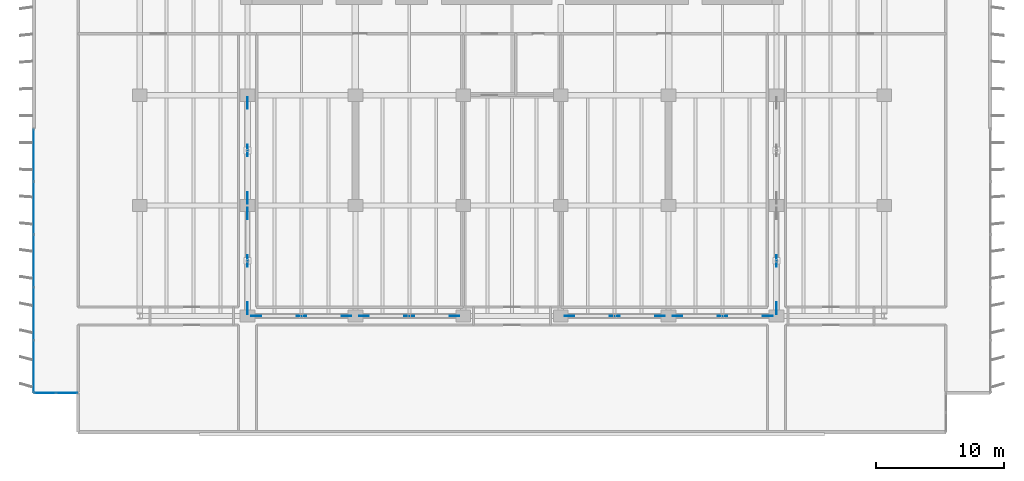
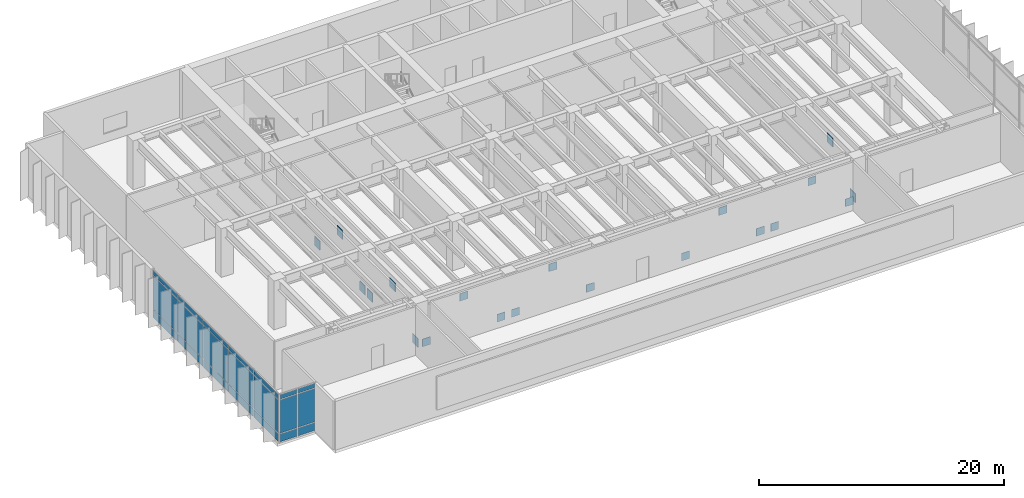
# One storey, part 11 of 21: 41 plates, 2 elements without a shape of their own.
"""IFC4 building model written with IfcOpenShell, lengths in metres."""

from ifc_helpers import new_model, si_unit, direction, frame, origin, origin_2d, place, context, subcontext, project, spatial, rectangle, extrude, material, layer, layer_set, type_object, element, aggregate, save


model = new_model("IFC4")

# Units and contexts
model_context = context("Model", 3, precision=1e-05, world=origin(), true_north=direction((0.0, 1.0)))
body_context = subcontext(model_context, "Body", "Model", "MODEL_VIEW")
ifc_project = project(units=[si_unit("LENGTHUNIT", "METRE"), si_unit("AREAUNIT", "SQUARE_METRE"), si_unit("VOLUMEUNIT", "CUBIC_METRE"), si_unit("PLANEANGLEUNIT", "RADIAN"), si_unit("MASSUNIT", "GRAM", prefix="KILO")], contexts=[model_context])

# Site, building, storey
site_placement = place(None, origin())
site = spatial("IfcSite", under=ifc_project, at=site_placement, CompositionType="ELEMENT")
building_placement = place(site_placement, origin())
building = spatial("IfcBuilding", under=site, at=building_placement, Name="Caelmar Bay Residences", CompositionType="ELEMENT")
storey_placement = place(building_placement, frame((0.0, 0.0, 79.5)))
storey = spatial("IfcBuildingStorey", under=building, at=storey_placement, Name="L21", CompositionType="ELEMENT", Elevation=79.5)

# Curtain wall, plates
ifc_material_1 = material(Name="Anodised bronze aluminium 6063-T6 and laminated glass", Category="aluminium")
ifc_layer_1 = layer(ifc_material_1, 0.179931640625)
ifc_layer_set_1 = layer_set([ifc_layer_1], Name="Anodised bronze aluminium 6063-T6 and laminated glass")
curtain_wall_type_1 = type_object("IfcCurtainWallType", Name="CW6-NTC", PredefinedType="NOTDEFINED", material=ifc_layer_set_1)
curtain_wall_1_placement = place(storey_placement, origin())
curtain_wall_1 = element("IfcCurtainWall", 1, at=curtain_wall_1_placement, inside=storey, type_object=curtain_wall_type_1, Name="CW6 curtain wall L21", PredefinedType="NOTDEFINED")
ifc_material_2 = material(Name="Bronze-tinted laminated low-E hurricane glass 28 mm", Category="glass")
ifc_layer_2 = layer(ifc_material_2, 0.028076171875)
ifc_layer_set_2 = layer_set([ifc_layer_2], Name="Bronze-tinted laminated low-E hurricane glass 28 mm")
plate_type_1 = type_object("IfcPlateType", Name="CWP-GLZ28", PredefinedType="CURTAIN_PANEL", material=ifc_layer_set_2)
plate_1_placement = place(storey_placement, frame((2.532470703125, 6.199951171875, 0.080078125), z_axis=(0.0, 0.0, 1.0), x_axis=(1.0, 0.0, 0.0)))
plate_1 = element("IfcPlate", 2, at=plate_1_placement, type_object=plate_type_1, Name="CW6 panel 1.1", PredefinedType="CURTAIN_PANEL", context=body_context, shape_type="SweptSolid", body=[
    extrude(rectangle(XDim=1.60498046875, YDim=0.028076171875, at=origin_2d()), origin(), (0.0, 0.0, 1.0), 0.780029296875),
])
plate_2_placement = place(storey_placement, frame((2.532470703125, 6.199951171875, 0.93994140625), z_axis=(0.0, 0.0, 1.0), x_axis=(1.0, 0.0, 0.0)))
plate_2 = element("IfcPlate", 3, at=plate_2_placement, type_object=plate_type_1, Name="CW6 panel 1.2", PredefinedType="CURTAIN_PANEL", context=body_context, shape_type="SweptSolid", body=[
    extrude(rectangle(XDim=1.60498046875, YDim=0.028076171875, at=origin_2d()), origin(), (0.0, 0.0, 1.0), 3.320068359375),
])
plate_3_placement = place(storey_placement, frame((2.532470703125, 6.199951171875, 4.33984375), z_axis=(0.0, 0.0, 1.0), x_axis=(1.0, 0.0, 0.0)))
plate_3 = element("IfcPlate", 4, at=plate_3_placement, type_object=plate_type_1, Name="CW6 panel 1.3", PredefinedType="CURTAIN_PANEL", context=body_context, shape_type="SweptSolid", body=[
    extrude(rectangle(XDim=1.60498046875, YDim=0.028076171875, at=origin_2d()), origin(), (0.0, 0.0, 1.0), 0.429931640625),
])
plate_4_placement = place(storey_placement, frame((4.217529296875, 6.199951171875, 0.080078125), z_axis=(0.0, 0.0, 1.0), x_axis=(1.0, 0.0, 0.0)))
plate_4 = element("IfcPlate", 5, at=plate_4_placement, type_object=plate_type_1, Name="CW6 panel 2.1", PredefinedType="CURTAIN_PANEL", context=body_context, shape_type="SweptSolid", body=[
    extrude(rectangle(XDim=1.60498046875, YDim=0.028076171875, at=origin_2d()), origin(), (0.0, 0.0, 1.0), 0.780029296875),
])
plate_5_placement = place(storey_placement, frame((4.217529296875, 6.199951171875, 0.93994140625), z_axis=(0.0, 0.0, 1.0), x_axis=(1.0, 0.0, 0.0)))
plate_5 = element("IfcPlate", 6, at=plate_5_placement, type_object=plate_type_1, Name="CW6 panel 2.2", PredefinedType="CURTAIN_PANEL", context=body_context, shape_type="SweptSolid", body=[
    extrude(rectangle(XDim=1.60498046875, YDim=0.028076171875, at=origin_2d()), origin(), (0.0, 0.0, 1.0), 3.320068359375),
])
plate_6_placement = place(storey_placement, frame((4.217529296875, 6.199951171875, 4.33984375), z_axis=(0.0, 0.0, 1.0), x_axis=(1.0, 0.0, 0.0)))
plate_6 = element("IfcPlate", 7, at=plate_6_placement, type_object=plate_type_1, Name="CW6 panel 2.3", PredefinedType="CURTAIN_PANEL", context=body_context, shape_type="SweptSolid", body=[
    extrude(rectangle(XDim=1.60498046875, YDim=0.028076171875, at=origin_2d()), origin(), (0.0, 0.0, 1.0), 0.429931640625),
])
aggregate(curtain_wall_1, [plate_1, plate_2, plate_3, plate_4, plate_5, plate_6])

ifc_layer_3 = layer(ifc_material_1, 0.179931640625)
ifc_layer_set_3 = layer_set([ifc_layer_3], Name="Anodised bronze aluminium 6063-T6 and laminated glass")
curtain_wall_type_2 = type_object("IfcCurtainWallType", Name="CW2-Z1", PredefinedType="NOTDEFINED", material=ifc_layer_set_3)
curtain_wall_2_placement = place(storey_placement, origin())
curtain_wall_2 = element("IfcCurtainWall", 8, at=curtain_wall_2_placement, inside=storey, type_object=curtain_wall_type_2, Name="CW2 curtain wall L21", PredefinedType="NOTDEFINED")
plate_7_placement = place(storey_placement, frame((1.64990234375, 8.280029296875, 0.080078125), z_axis=(0.0, 0.0, 1.0), x_axis=(0.0, 1.0, 0.0)))
plate_7 = element("IfcPlate", 9, at=plate_7_placement, type_object=plate_type_1, Name="CW2 panel 1.1", PredefinedType="CURTAIN_PANEL", context=body_context, shape_type="SweptSolid", body=[
    extrude(rectangle(XDim=4.0, YDim=0.028076171875, at=origin_2d()), origin(), (0.0, 0.0, 1.0), 0.780029296875),
])
plate_8_placement = place(storey_placement, frame((1.64990234375, 8.280029296875, 0.93994140625), z_axis=(0.0, 0.0, 1.0), x_axis=(0.0, 1.0, 0.0)))
plate_8 = element("IfcPlate", 10, at=plate_8_placement, type_object=plate_type_1, Name="CW2 panel 1.2", PredefinedType="CURTAIN_PANEL", context=body_context, shape_type="SweptSolid", body=[
    extrude(rectangle(XDim=4.0, YDim=0.028076171875, at=origin_2d()), origin(), (0.0, 0.0, 1.0), 3.320068359375),
])
plate_9_placement = place(storey_placement, frame((1.64990234375, 8.280029296875, 4.33984375), z_axis=(0.0, 0.0, 1.0), x_axis=(0.0, 1.0, 0.0)))
plate_9 = element("IfcPlate", 11, at=plate_9_placement, type_object=plate_type_1, Name="CW2 panel 1.3", PredefinedType="CURTAIN_PANEL", context=body_context, shape_type="SweptSolid", body=[
    extrude(rectangle(XDim=4.0, YDim=0.028076171875, at=origin_2d()), origin(), (0.0, 0.0, 1.0), 0.429931640625),
])
plate_10_placement = place(storey_placement, frame((1.64990234375, 12.3798828125, 0.080078125), z_axis=(0.0, 0.0, 1.0), x_axis=(0.0, 1.0, 0.0)))
plate_10 = element("IfcPlate", 12, at=plate_10_placement, type_object=plate_type_1, Name="CW2 panel 2.1", PredefinedType="CURTAIN_PANEL", context=body_context, shape_type="SweptSolid", body=[
    extrude(rectangle(XDim=4.0400390625, YDim=0.028076171875, at=origin_2d()), origin(), (0.0, 0.0, 1.0), 0.780029296875),
])
plate_11_placement = place(storey_placement, frame((1.64990234375, 12.3798828125, 0.93994140625), z_axis=(0.0, 0.0, 1.0), x_axis=(0.0, 1.0, 0.0)))
plate_11 = element("IfcPlate", 13, at=plate_11_placement, type_object=plate_type_1, Name="CW2 panel 2.2", PredefinedType="CURTAIN_PANEL", context=body_context, shape_type="SweptSolid", body=[
    extrude(rectangle(XDim=4.0400390625, YDim=0.028076171875, at=origin_2d()), origin(), (0.0, 0.0, 1.0), 3.320068359375),
])
plate_12_placement = place(storey_placement, frame((1.64990234375, 12.3798828125, 4.33984375), z_axis=(0.0, 0.0, 1.0), x_axis=(0.0, 1.0, 0.0)))
plate_12 = element("IfcPlate", 14, at=plate_12_placement, type_object=plate_type_1, Name="CW2 panel 2.3", PredefinedType="CURTAIN_PANEL", context=body_context, shape_type="SweptSolid", body=[
    extrude(rectangle(XDim=4.0400390625, YDim=0.028076171875, at=origin_2d()), origin(), (0.0, 0.0, 1.0), 0.429931640625),
])
plate_13_placement = place(storey_placement, frame((1.64990234375, 16.5, 0.080078125), z_axis=(0.0, 0.0, 1.0), x_axis=(0.0, 1.0, 0.0)))
plate_13 = element("IfcPlate", 15, at=plate_13_placement, type_object=plate_type_1, Name="CW2 panel 3.1", PredefinedType="CURTAIN_PANEL", context=body_context, shape_type="SweptSolid", body=[
    extrude(rectangle(XDim=4.0400390625, YDim=0.028076171875, at=origin_2d()), origin(), (0.0, 0.0, 1.0), 0.780029296875),
])
plate_14_placement = place(storey_placement, frame((1.64990234375, 16.5, 0.93994140625), z_axis=(0.0, 0.0, 1.0), x_axis=(0.0, 1.0, 0.0)))
plate_14 = element("IfcPlate", 16, at=plate_14_placement, type_object=plate_type_1, Name="CW2 panel 3.2", PredefinedType="CURTAIN_PANEL", context=body_context, shape_type="SweptSolid", body=[
    extrude(rectangle(XDim=4.0400390625, YDim=0.028076171875, at=origin_2d()), origin(), (0.0, 0.0, 1.0), 3.320068359375),
])
plate_15_placement = place(storey_placement, frame((1.64990234375, 16.5, 4.33984375), z_axis=(0.0, 0.0, 1.0), x_axis=(0.0, 1.0, 0.0)))
plate_15 = element("IfcPlate", 17, at=plate_15_placement, type_object=plate_type_1, Name="CW2 panel 3.3", PredefinedType="CURTAIN_PANEL", context=body_context, shape_type="SweptSolid", body=[
    extrude(rectangle(XDim=4.0400390625, YDim=0.028076171875, at=origin_2d()), origin(), (0.0, 0.0, 1.0), 0.429931640625),
])
plate_16_placement = place(storey_placement, frame((1.64990234375, 20.6201171875, 0.080078125), z_axis=(0.0, 0.0, 1.0), x_axis=(0.0, 1.0, 0.0)))
plate_16 = element("IfcPlate", 18, at=plate_16_placement, type_object=plate_type_1, Name="CW2 panel 4.1", PredefinedType="CURTAIN_PANEL", context=body_context, shape_type="SweptSolid", body=[
    extrude(rectangle(XDim=4.0400390625, YDim=0.028076171875, at=origin_2d()), origin(), (0.0, 0.0, 1.0), 0.780029296875),
])
plate_17_placement = place(storey_placement, frame((1.64990234375, 20.6201171875, 0.93994140625), z_axis=(0.0, 0.0, 1.0), x_axis=(0.0, 1.0, 0.0)))
plate_17 = element("IfcPlate", 19, at=plate_17_placement, type_object=plate_type_1, Name="CW2 panel 4.2", PredefinedType="CURTAIN_PANEL", context=body_context, shape_type="SweptSolid", body=[
    extrude(rectangle(XDim=4.0400390625, YDim=0.028076171875, at=origin_2d()), origin(), (0.0, 0.0, 1.0), 3.320068359375),
])
plate_18_placement = place(storey_placement, frame((1.64990234375, 20.6201171875, 4.33984375), z_axis=(0.0, 0.0, 1.0), x_axis=(0.0, 1.0, 0.0)))
plate_18 = element("IfcPlate", 20, at=plate_18_placement, type_object=plate_type_1, Name="CW2 panel 4.3", PredefinedType="CURTAIN_PANEL", context=body_context, shape_type="SweptSolid", body=[
    extrude(rectangle(XDim=4.0400390625, YDim=0.028076171875, at=origin_2d()), origin(), (0.0, 0.0, 1.0), 0.429931640625),
])
plate_19_placement = place(storey_placement, frame((1.64990234375, 24.719970703125, 0.080078125), z_axis=(0.0, 0.0, 1.0), x_axis=(0.0, 1.0, 0.0)))
plate_19 = element("IfcPlate", 21, at=plate_19_placement, type_object=plate_type_1, Name="CW2 panel 5.1", PredefinedType="CURTAIN_PANEL", context=body_context, shape_type="SweptSolid", body=[
    extrude(rectangle(XDim=4.0, YDim=0.028076171875, at=origin_2d()), origin(), (0.0, 0.0, 1.0), 0.780029296875),
])
plate_20_placement = place(storey_placement, frame((1.64990234375, 24.719970703125, 0.93994140625), z_axis=(0.0, 0.0, 1.0), x_axis=(0.0, 1.0, 0.0)))
plate_20 = element("IfcPlate", 22, at=plate_20_placement, type_object=plate_type_1, Name="CW2 panel 5.2", PredefinedType="CURTAIN_PANEL", context=body_context, shape_type="SweptSolid", body=[
    extrude(rectangle(XDim=4.0, YDim=0.028076171875, at=origin_2d()), origin(), (0.0, 0.0, 1.0), 3.320068359375),
])
plate_21_placement = place(storey_placement, frame((1.64990234375, 24.719970703125, 4.33984375), z_axis=(0.0, 0.0, 1.0), x_axis=(0.0, 1.0, 0.0)))
plate_21 = element("IfcPlate", 23, at=plate_21_placement, type_object=plate_type_1, Name="CW2 panel 5.3", PredefinedType="CURTAIN_PANEL", context=body_context, shape_type="SweptSolid", body=[
    extrude(rectangle(XDim=4.0, YDim=0.028076171875, at=origin_2d()), origin(), (0.0, 0.0, 1.0), 0.429931640625),
])
aggregate(curtain_wall_2, [plate_7, plate_8, plate_9, plate_10, plate_11, plate_12, plate_13, plate_14, plate_15, plate_16, plate_17, plate_18, plate_19, plate_20, plate_21])

# Plates
ifc_material_3 = material(Name="Steel ASTM A572 Grade 50", Category="steel")
ifc_layer_4 = layer(ifc_material_3, 0.050048828125)
ifc_layer_set_4 = layer_set([ifc_layer_4], Name="Steel ASTM A572 Grade 50")
plate_type_2 = type_object("IfcPlateType", Name="PLT-GUS-50", PredefinedType="USERDEFINED", material=ifc_layer_set_4)
for number, where, z_axis, x_axis, name in (
    (24, (18.97998046875, 12.199951171875, 0.0048828125), (0.0, 0.0, 1.0), (1.0, 0.0, 0.0), "L21 Structural Node Gusset Plate PLT-BLT-L21-01W"),
    (25, (26.02001953125, 12.199951171875, 0.0048828125), (0.0, 0.0, 1.0), (1.0, 0.0, 0.0), "L21 Structural Node Gusset Plate PLT-BLT-L21-01E"),
    (26, (22.5, 12.199951171875, 3.30908203125), (0.0, 0.0, 1.0), (1.0, 0.0, 0.0), "L21 Structural Node Gusset Plate PLT-BLT-L21-01T"),
    (27, (27.3798828125, 12.199951171875, 0.0048828125), (0.0, 0.0, 1.0), (1.0, 0.0, 0.0), "L21 Structural Node Gusset Plate PLT-BLT-L21-02W"),
    (28, (34.419921875, 12.199951171875, 0.0048828125), (0.0, 0.0, 1.0), (1.0, 0.0, 0.0), "L21 Structural Node Gusset Plate PLT-BLT-L21-02E"),
    (29, (30.89990234375, 12.199951171875, 3.30908203125), (0.0, 0.0, 1.0), (1.0, 0.0, 0.0), "L21 Structural Node Gusset Plate PLT-BLT-L21-02T"),
    (30, (43.3798828125, 12.199951171875, 0.0048828125), (0.0, 0.0, 1.0), (1.0, 0.0, 0.0), "L21 Structural Node Gusset Plate PLT-BLT-L21-03W"),
    (31, (50.419921875, 12.199951171875, 0.0048828125), (0.0, 0.0, 1.0), (1.0, 0.0, 0.0), "L21 Structural Node Gusset Plate PLT-BLT-L21-03E"),
    (32, (46.89990234375, 12.199951171875, 3.30908203125), (0.0, 0.0, 1.0), (1.0, 0.0, 0.0), "L21 Structural Node Gusset Plate PLT-BLT-L21-03T"),
    (33, (51.780029296875, 12.199951171875, 0.0048828125), (0.0, 0.0, 1.0), (1.0, 0.0, 0.0), "L21 Structural Node Gusset Plate PLT-BLT-L21-04W"),
    (34, (58.820068359375, 12.199951171875, 0.0048828125), (0.0, 0.0, 1.0), (1.0, 0.0, 0.0), "L21 Structural Node Gusset Plate PLT-BLT-L21-04E"),
    (35, (55.300048828125, 12.199951171875, 3.30908203125), (0.0, 0.0, 1.0), (1.0, 0.0, 0.0), "L21 Structural Node Gusset Plate PLT-BLT-L21-04T"),
):
    element("IfcPlate", number, at=place(storey_placement, frame(where, z_axis=z_axis, x_axis=x_axis)), inside=storey, type_object=plate_type_2, Name=name, ObjectType="GUSSET_PLATE", PredefinedType="USERDEFINED", context=body_context, shape_type="SweptSolid", body=[
        extrude(rectangle(XDim=0.75, YDim=0.050048828125, at=origin_2d()), origin(), (0.0, 0.0, 1.0), 0.75),
    ])
ifc_layer_5 = layer(ifc_material_3, 0.06005859375)
ifc_layer_set_5 = layer_set([ifc_layer_5], Name="Steel ASTM A572 Grade 50")
plate_type_3 = type_object("IfcPlateType", Name="PLT-GUS-60", PredefinedType="USERDEFINED", material=ifc_layer_set_5)
for number, where, z_axis, x_axis, name in (
    (36, (18.300048828125, 12.804931640625, -0.070068359375), (0.0, 0.0, 1.0), (0.0, 1.0, 0.0), "L21 Structural Node Gusset Plate PLT-OUT-L21-01S"),
    (37, (18.300048828125, 20.195068359375, -0.070068359375), (0.0, 0.0, 1.0), (0.0, 1.0, 0.0), "L21 Structural Node Gusset Plate PLT-OUT-L21-01N"),
    (38, (18.300048828125, 16.5, 3.234130859375), (0.0, 0.0, 1.0), (0.0, 1.0, 0.0), "L21 Structural Node Gusset Plate PLT-OUT-L21-01T"),
    (39, (18.300048828125, 21.405029296875, -0.070068359375), (0.0, 0.0, 1.0), (0.0, 1.0, 0.0), "L21 Structural Node Gusset Plate PLT-OUT-L21-02S"),
    (40, (18.300048828125, 28.794921875, -0.070068359375), (0.0, 0.0, 1.0), (0.0, 1.0, 0.0), "L21 Structural Node Gusset Plate PLT-OUT-L21-02N"),
    (41, (18.300048828125, 25.10009765625, 3.234130859375), (0.0, 0.0, 1.0), (0.0, 1.0, 0.0), "L21 Structural Node Gusset Plate PLT-OUT-L21-02T"),
    (42, (59.5, 12.804931640625, -0.070068359375), (0.0, 0.0, 1.0), (0.0, 1.0, 0.0), "L21 Structural Node Gusset Plate PLT-OUT-L21-03S"),
    (43, (59.5, 16.5, 3.234130859375), (0.0, 0.0, 1.0), (0.0, 1.0, 0.0), "L21 Structural Node Gusset Plate PLT-OUT-L21-03T"),
):
    element("IfcPlate", number, at=place(storey_placement, frame(where, z_axis=z_axis, x_axis=x_axis)), inside=storey, type_object=plate_type_3, Name=name, ObjectType="GUSSET_PLATE", PredefinedType="USERDEFINED", context=body_context, shape_type="SweptSolid", body=[
        extrude(rectangle(XDim=0.89990234375, YDim=0.06005859375, at=origin_2d()), origin(), (0.0, 0.0, 1.0), 0.89990234375),
    ])

save(model, "model.ifc")
